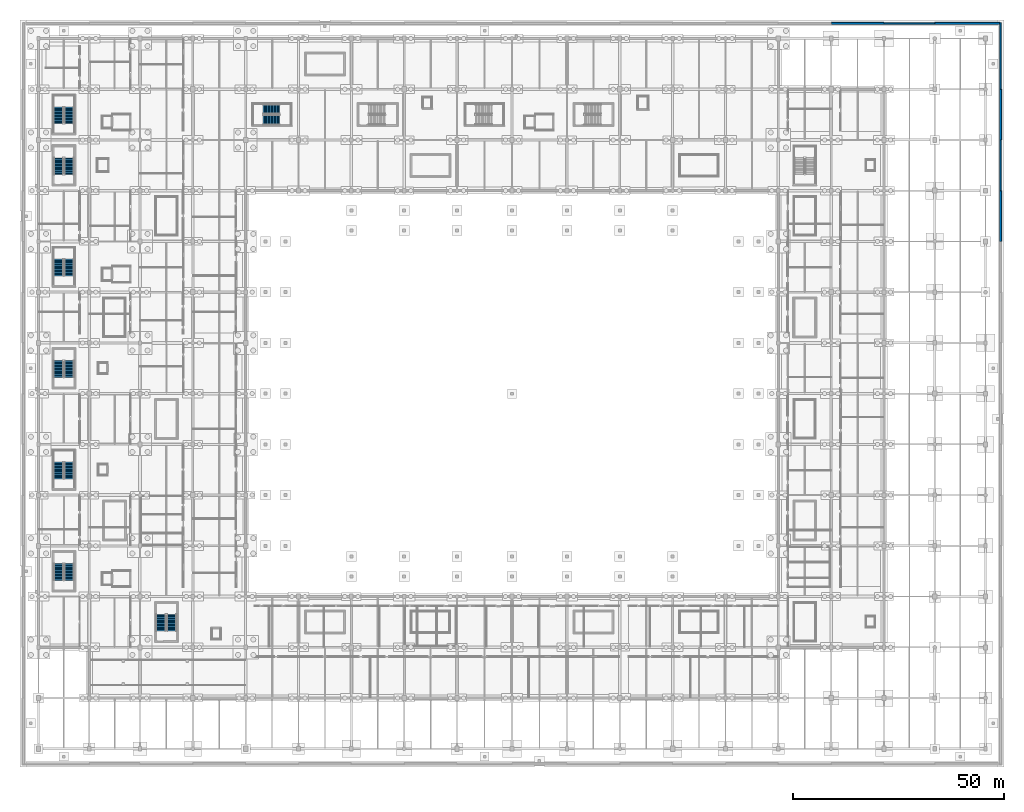
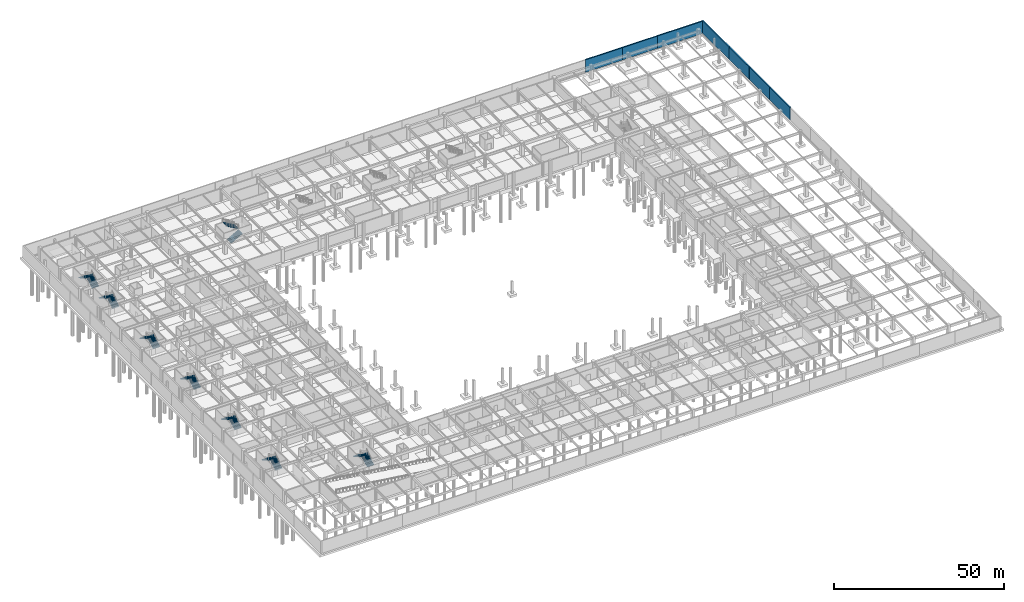
# One storey, part 40 of 56: 16 stair flights, 7 walls, 8 elements without a shape of their own.
"""IFC4 building model written with IfcOpenShell, lengths in metres."""

from ifc_helpers import new_model, si_unit, direction, frame, frame_2d, origin, place, context, subcontext, project, spatial, polyline, rectangle, outline, extrude, material, layer, layer_set, type_object, element, aggregate, save


model = new_model("IFC4")

# Units and contexts
model_context = context("Model", 3, precision=1e-05, world=origin(), true_north=direction((0.0, 1.0)))
body_context = subcontext(model_context, "Body", "Model", "MODEL_VIEW")
ifc_project = project(units=[si_unit("LENGTHUNIT", "METRE"), si_unit("AREAUNIT", "SQUARE_METRE"), si_unit("VOLUMEUNIT", "CUBIC_METRE"), si_unit("PLANEANGLEUNIT", "RADIAN"), si_unit("MASSUNIT", "GRAM", prefix="KILO")], contexts=[model_context])

# Site, building, storey
site_placement = place(None, origin())
site = spatial("IfcSite", under=ifc_project, at=site_placement, CompositionType="ELEMENT")
building_placement = place(site_placement, origin())
building = spatial("IfcBuilding", under=site, at=building_placement, Name="Kazenohara Klinker Stadium", CompositionType="ELEMENT")
storey_placement = place(building_placement, frame((0.0, 0.0, -4.800048828125)))
storey = spatial("IfcBuildingStorey", under=building, at=storey_placement, Name="B01", CompositionType="ELEMENT", Elevation=-4.800048828125)

# Walls
ifc_material = material(Name="Concrete C40/50", Category="concrete")
ifc_layer_1 = layer(ifc_material, 0.39990234375)
ifc_layer_set_1 = layer_set([ifc_layer_1], Name="Concrete C40/50")
wall_type_1 = type_object("IfcWallType", Name="WAL-B01-PLINTH400", PredefinedType="USERDEFINED", material=ifc_layer_set_1)
wall_1_placement = place(storey_placement, frame((227.580078125, 132.02001953125, 0.0), z_axis=(0.0, 0.0, 1.0), x_axis=(0.0, 1.0, 0.0)))
element("IfcWall", 1, at=wall_1_placement, inside=storey, type_object=wall_type_1, Name="Street plinth retaining wall RW04 East-12", ObjectType="RETAINING WALL", PredefinedType="USERDEFINED", context=body_context, shape_type="SweptSolid", body=[
    extrude(rectangle(XDim=11.9599609375, YDim=0.39990234375, at=frame_2d((5.97998046875, 0.0))), origin(), (0.0, 0.0, 1.0), 4.4599609375),
])
wall_2_placement = place(storey_placement, frame((227.580078125, 156.02001953125, 0.0), z_axis=(0.0, 0.0, 1.0), x_axis=(0.0, 1.0, 0.0)))
element("IfcWall", 2, at=wall_2_placement, inside=storey, type_object=wall_type_1, Name="Street plinth retaining wall RW04 East-14", ObjectType="RETAINING WALL", PredefinedType="USERDEFINED", context=body_context, shape_type="SweptSolid", body=[
    extrude(rectangle(XDim=15.760009765625, YDim=0.39990234375, at=frame_2d((7.8798828125, 0.0))), origin(), (0.0, 0.0, 1.0), 4.4599609375),
])
wall_3_placement = place(storey_placement, frame((200.02001953125, 171.580078125, 0.0), z_axis=(0.0, 0.0, 1.0), x_axis=(1.0, 0.0, 0.0)))
element("IfcWall", 3, at=wall_3_placement, inside=storey, type_object=wall_type_1, Name="Street plinth retaining wall RW04 North-17", ObjectType="RETAINING WALL", PredefinedType="USERDEFINED", context=body_context, shape_type="SweptSolid", body=[
    extrude(rectangle(XDim=11.9599609375, YDim=0.39990234375, at=frame_2d((5.97998046875, 0.0))), origin(), (0.0, 0.0, 1.0), 4.4599609375),
])
ifc_layer_2 = layer(ifc_material, 0.43994140625)
ifc_layer_set_2 = layer_set([ifc_layer_2], Name="Concrete C40/50")
wall_type_2 = type_object("IfcWallType", Name="WAL-B01-PLINTH440", PredefinedType="USERDEFINED", material=ifc_layer_set_2)
for number, where, z_axis, x_axis, name in (
    (4, (227.580078125, 120.02001953125, 0.0), (0.0, 0.0, 1.0), (0.0, 1.0, 0.0), "Street plinth retaining wall RW03 East-11"),
    (5, (227.580078125, 144.02001953125, 0.0), (0.0, 0.0, 1.0), (0.0, 1.0, 0.0), "Street plinth retaining wall RW03 East-13"),
):
    element("IfcWall", number, at=place(storey_placement, frame(where, z_axis=z_axis, x_axis=x_axis)), inside=storey, type_object=wall_type_2, Name=name, ObjectType="RETAINING WALL", PredefinedType="USERDEFINED", context=body_context, shape_type="SweptSolid", body=[
        extrude(rectangle(XDim=11.9599609375, YDim=0.43994140625, at=frame_2d((5.97998046875, 0.0))), origin(), (0.0, 0.0, 1.0), 4.4599609375),
    ])
wall_4_placement = place(storey_placement, frame((187.52001953125, 171.580078125, 0.0), z_axis=(0.0, 0.0, 1.0), x_axis=(1.0, 0.0, 0.0)))
element("IfcWall", 6, at=wall_4_placement, inside=storey, type_object=wall_type_2, Name="Street plinth retaining wall RW03 North-16", ObjectType="RETAINING WALL", PredefinedType="USERDEFINED", context=body_context, shape_type="SweptSolid", body=[
    extrude(rectangle(XDim=12.4599609375, YDim=0.43994140625, at=frame_2d((6.22998046875, 0.0))), origin(), (0.0, 0.0, 1.0), 4.4599609375),
])
wall_5_placement = place(storey_placement, frame((212.02001953125, 171.580078125, 0.0), z_axis=(0.0, 0.0, 1.0), x_axis=(1.0, 0.0, 0.0)))
element("IfcWall", 7, at=wall_5_placement, inside=storey, type_object=wall_type_2, Name="Street plinth retaining wall RW03 North-18", ObjectType="RETAINING WALL", PredefinedType="USERDEFINED", context=body_context, shape_type="SweptSolid", body=[
    extrude(rectangle(XDim=15.300048828125, YDim=0.43994140625, at=frame_2d((7.64990234375, 0.0))), origin(), (0.0, 0.0, 1.0), 4.4599609375),
])

# Stair, stair flights
stair_type_1 = type_object("IfcStairType", Name="STR-DL-2300", PredefinedType="HALF_TURN_STAIR", material=ifc_material)
stair_1_placement = place(storey_placement, origin())
stair_1 = element("IfcStair", 8, at=stair_1_placement, inside=storey, type_object=stair_type_1, Name="B01 Enclosed escape stair ST01", PredefinedType="HALF_TURN_STAIR")
stair_flight_type_1 = type_object("IfcStairFlightType", Name="FLT-DL-2300-4800", PredefinedType="STRAIGHT", material=ifc_material)
stair_flight_1_placement = place(storey_placement, frame((7.25, 39.840087890625, 0.0), z_axis=(0.0, 0.0, 1.0), x_axis=(0.0, 1.0, 0.0)))
stair_flight_1 = element("IfcStairFlight", 9, at=stair_flight_1_placement, type_object=stair_flight_type_1, Name="ST01 flight 1", NumberOfRisers=15, NumberOfTreads=14, PredefinedType="STRAIGHT", RiserHeight=0.16, TreadLength=0.28, context=body_context, shape_type="SweptSolid", body=[
    extrude(outline(polyline([(0.0, 0.0), (0.0, 0.159912109375), (0.280029296875, 0.159912109375), (0.280029296875, 0.320068359375), (0.56005859375, 0.320068359375), (0.56005859375, 0.47998046875), (0.840087890625, 0.47998046875), (0.840087890625, 0.639892578125), (1.1201171875, 0.639892578125), (1.1201171875, 0.800048828125), (1.39990234375, 0.800048828125), (1.39990234375, 0.9599609375), (1.679931640625, 0.9599609375), (1.679931640625, 1.1201171875), (1.9599609375, 1.1201171875), (1.9599609375, 1.280029296875), (2.239990234375, 1.280029296875), (2.239990234375, 1.43994140625), (2.52001953125, 1.43994140625), (2.52001953125, 1.60009765625), (2.800048828125, 1.60009765625), (2.800048828125, 1.760009765625), (3.080078125, 1.760009765625), (3.080078125, 1.919921875), (3.360107421875, 1.919921875), (3.360107421875, 2.080078125), (3.639892578125, 2.080078125), (3.639892578125, 2.239990234375), (3.919921875, 2.239990234375), (3.919921875, 2.39990234375), (3.919921875, 2.0673828125), (0.30224609375, 0.0), (0.0, 0.0)])), frame((0.0, 1.14990234375, 0.0), z_axis=(0.0, -1.0, 0.0), x_axis=(1.0, 0.0, 0.0)), (0.0, 0.0, 1.0), 2.300048828125),
])
stair_flight_2_placement = place(storey_placement, frame((4.75, 43.760009765625, 2.400146484375), z_axis=(0.0, 0.0, 1.0), x_axis=(0.0, -1.0, 0.0)))
stair_flight_2 = element("IfcStairFlight", 10, at=stair_flight_2_placement, type_object=stair_flight_type_1, Name="ST01 flight 2", NumberOfRisers=15, NumberOfTreads=14, PredefinedType="STRAIGHT", RiserHeight=0.16, TreadLength=0.28, context=body_context, shape_type="SweptSolid", body=[
    extrude(outline(polyline([(0.0, 0.0), (0.0, 0.159912109375), (0.280029296875, 0.159912109375), (0.280029296875, 0.320068359375), (0.56005859375, 0.320068359375), (0.56005859375, 0.47998046875), (0.840087890625, 0.47998046875), (0.840087890625, 0.639892578125), (1.1201171875, 0.639892578125), (1.1201171875, 0.800048828125), (1.39990234375, 0.800048828125), (1.39990234375, 0.9599609375), (1.679931640625, 0.9599609375), (1.679931640625, 1.1201171875), (1.9599609375, 1.1201171875), (1.9599609375, 1.280029296875), (2.239990234375, 1.280029296875), (2.239990234375, 1.43994140625), (2.52001953125, 1.43994140625), (2.52001953125, 1.60009765625), (2.800048828125, 1.60009765625), (2.800048828125, 1.760009765625), (3.080078125, 1.760009765625), (3.080078125, 1.919921875), (3.360107421875, 1.919921875), (3.360107421875, 2.080078125), (3.639892578125, 2.080078125), (3.639892578125, 2.239990234375), (3.919921875, 2.239990234375), (3.919921875, 2.39990234375), (3.919921875, 2.0673828125), (0.30224609375, 0.0), (0.0, 0.0)])), frame((0.0, 1.14990234375, 0.0), z_axis=(0.0, -1.0, 0.0), x_axis=(1.0, 0.0, 0.0)), (0.0, 0.0, 1.0), 2.300048828125),
])
aggregate(stair_1, [stair_flight_1, stair_flight_2])

stair_2_placement = place(storey_placement, origin())
stair_2 = element("IfcStair", 11, at=stair_2_placement, inside=storey, type_object=stair_type_1, Name="B01 Enclosed escape stair ST05", PredefinedType="HALF_TURN_STAIR")
stair_flight_3_placement = place(storey_placement, frame((7.25, 135.840087890625, 0.0), z_axis=(0.0, 0.0, 1.0), x_axis=(0.0, 1.0, 0.0)))
stair_flight_3 = element("IfcStairFlight", 12, at=stair_flight_3_placement, type_object=stair_flight_type_1, Name="ST05 flight 1", NumberOfRisers=15, NumberOfTreads=14, PredefinedType="STRAIGHT", RiserHeight=0.16, TreadLength=0.28, context=body_context, shape_type="SweptSolid", body=[
    extrude(outline(polyline([(0.0, 0.0), (0.0, 0.159912109375), (0.280029296875, 0.159912109375), (0.280029296875, 0.320068359375), (0.56005859375, 0.320068359375), (0.56005859375, 0.47998046875), (0.840087890625, 0.47998046875), (0.840087890625, 0.639892578125), (1.1201171875, 0.639892578125), (1.1201171875, 0.800048828125), (1.39990234375, 0.800048828125), (1.39990234375, 0.9599609375), (1.679931640625, 0.9599609375), (1.679931640625, 1.1201171875), (1.9599609375, 1.1201171875), (1.9599609375, 1.280029296875), (2.239990234375, 1.280029296875), (2.239990234375, 1.43994140625), (2.52001953125, 1.43994140625), (2.52001953125, 1.60009765625), (2.800048828125, 1.60009765625), (2.800048828125, 1.760009765625), (3.080078125, 1.760009765625), (3.080078125, 1.919921875), (3.360107421875, 1.919921875), (3.360107421875, 2.080078125), (3.639892578125, 2.080078125), (3.639892578125, 2.239990234375), (3.919921875, 2.239990234375), (3.919921875, 2.39990234375), (3.919921875, 2.0673828125), (0.30224609375, 0.0), (0.0, 0.0)])), frame((0.0, 1.14990234375, 0.0), z_axis=(0.0, -1.0, 0.0), x_axis=(1.0, 0.0, 0.0)), (0.0, 0.0, 1.0), 2.300048828125),
])
stair_flight_4_placement = place(storey_placement, frame((4.75, 139.760009765625, 2.400146484375), z_axis=(0.0, 0.0, 1.0), x_axis=(0.0, -1.0, 0.0)))
stair_flight_4 = element("IfcStairFlight", 13, at=stair_flight_4_placement, type_object=stair_flight_type_1, Name="ST05 flight 2", NumberOfRisers=15, NumberOfTreads=14, PredefinedType="STRAIGHT", RiserHeight=0.16, TreadLength=0.28, context=body_context, shape_type="SweptSolid", body=[
    extrude(outline(polyline([(0.0, 0.0), (0.0, 0.159912109375), (0.280029296875, 0.159912109375), (0.280029296875, 0.320068359375), (0.56005859375, 0.320068359375), (0.56005859375, 0.47998046875), (0.840087890625, 0.47998046875), (0.840087890625, 0.639892578125), (1.1201171875, 0.639892578125), (1.1201171875, 0.800048828125), (1.39990234375, 0.800048828125), (1.39990234375, 0.9599609375), (1.679931640625, 0.9599609375), (1.679931640625, 1.1201171875), (1.9599609375, 1.1201171875), (1.9599609375, 1.280029296875), (2.239990234375, 1.280029296875), (2.239990234375, 1.43994140625), (2.52001953125, 1.43994140625), (2.52001953125, 1.60009765625), (2.800048828125, 1.60009765625), (2.800048828125, 1.760009765625), (3.080078125, 1.760009765625), (3.080078125, 1.919921875), (3.360107421875, 1.919921875), (3.360107421875, 2.080078125), (3.639892578125, 2.080078125), (3.639892578125, 2.239990234375), (3.919921875, 2.239990234375), (3.919921875, 2.39990234375), (3.919921875, 2.0673828125), (0.30224609375, 0.0), (0.0, 0.0)])), frame((0.0, 1.14990234375, 0.0), z_axis=(0.0, -1.0, 0.0), x_axis=(1.0, 0.0, 0.0)), (0.0, 0.0, 1.0), 2.300048828125),
])
aggregate(stair_2, [stair_flight_3, stair_flight_4])

stair_type_2 = type_object("IfcStairType", Name="STR-DL-2310", PredefinedType="HALF_TURN_STAIR", material=ifc_material)
stair_3_placement = place(storey_placement, origin())
stair_3 = element("IfcStair", 14, at=stair_3_placement, inside=storey, type_object=stair_type_2, Name="B01 Enclosed escape stair ST02", PredefinedType="HALF_TURN_STAIR")
stair_flight_type_2 = type_object("IfcStairFlightType", Name="FLT-DL-2310-4800", PredefinedType="STRAIGHT", material=ifc_material)
stair_flight_5_placement = place(storey_placement, frame((7.2548828125, 63.85009765625, 0.0), z_axis=(0.0, 0.0, 1.0), x_axis=(0.0, 1.0, 0.0)))
stair_flight_5 = element("IfcStairFlight", 15, at=stair_flight_5_placement, type_object=stair_flight_type_2, Name="ST02 flight 1", NumberOfRisers=15, NumberOfTreads=14, PredefinedType="STRAIGHT", RiserHeight=0.16, TreadLength=0.28, context=body_context, shape_type="SweptSolid", body=[
    extrude(outline(polyline([(0.0, 0.0), (0.0, 0.159912109375), (0.280029296875, 0.159912109375), (0.280029296875, 0.320068359375), (0.56005859375, 0.320068359375), (0.56005859375, 0.47998046875), (0.840087890625, 0.47998046875), (0.840087890625, 0.639892578125), (1.1201171875, 0.639892578125), (1.1201171875, 0.800048828125), (1.39990234375, 0.800048828125), (1.39990234375, 0.9599609375), (1.679931640625, 0.9599609375), (1.679931640625, 1.1201171875), (1.9599609375, 1.1201171875), (1.9599609375, 1.280029296875), (2.239990234375, 1.280029296875), (2.239990234375, 1.43994140625), (2.52001953125, 1.43994140625), (2.52001953125, 1.60009765625), (2.800048828125, 1.60009765625), (2.800048828125, 1.760009765625), (3.080078125, 1.760009765625), (3.080078125, 1.919921875), (3.360107421875, 1.919921875), (3.360107421875, 2.080078125), (3.639892578125, 2.080078125), (3.639892578125, 2.239990234375), (3.919921875, 2.239990234375), (3.919921875, 2.39990234375), (3.919921875, 2.0673828125), (0.30224609375, 0.0), (0.0, 0.0)])), frame((0.0, 1.155029296875, 0.0), z_axis=(0.0, -1.0, 0.0), x_axis=(1.0, 0.0, 0.0)), (0.0, 0.0, 1.0), 2.31005859375),
])
stair_flight_6_placement = place(storey_placement, frame((4.7451171875, 67.77001953125, 2.400146484375), z_axis=(0.0, 0.0, 1.0), x_axis=(0.0, -1.0, 0.0)))
stair_flight_6 = element("IfcStairFlight", 16, at=stair_flight_6_placement, type_object=stair_flight_type_2, Name="ST02 flight 2", NumberOfRisers=15, NumberOfTreads=14, PredefinedType="STRAIGHT", RiserHeight=0.16, TreadLength=0.28, context=body_context, shape_type="SweptSolid", body=[
    extrude(outline(polyline([(0.0, 0.0), (0.0, 0.159912109375), (0.280029296875, 0.159912109375), (0.280029296875, 0.320068359375), (0.56005859375, 0.320068359375), (0.56005859375, 0.47998046875), (0.840087890625, 0.47998046875), (0.840087890625, 0.639892578125), (1.1201171875, 0.639892578125), (1.1201171875, 0.800048828125), (1.39990234375, 0.800048828125), (1.39990234375, 0.9599609375), (1.679931640625, 0.9599609375), (1.679931640625, 1.1201171875), (1.9599609375, 1.1201171875), (1.9599609375, 1.280029296875), (2.239990234375, 1.280029296875), (2.239990234375, 1.43994140625), (2.52001953125, 1.43994140625), (2.52001953125, 1.60009765625), (2.800048828125, 1.60009765625), (2.800048828125, 1.760009765625), (3.080078125, 1.760009765625), (3.080078125, 1.919921875), (3.360107421875, 1.919921875), (3.360107421875, 2.080078125), (3.639892578125, 2.080078125), (3.639892578125, 2.239990234375), (3.919921875, 2.239990234375), (3.919921875, 2.39990234375), (3.919921875, 2.0673828125), (0.30224609375, 0.0), (0.0, 0.0)])), frame((0.0, 1.155029296875, 0.0), z_axis=(0.0, -1.0, 0.0), x_axis=(1.0, 0.0, 0.0)), (0.0, 0.0, 1.0), 2.31005859375),
])
aggregate(stair_3, [stair_flight_5, stair_flight_6])

stair_4_placement = place(storey_placement, origin())
stair_4 = element("IfcStair", 17, at=stair_4_placement, inside=storey, type_object=stair_type_2, Name="B01 Enclosed escape stair ST06", PredefinedType="HALF_TURN_STAIR")
stair_flight_7_placement = place(storey_placement, frame((7.2548828125, 147.85009765625, 0.0), z_axis=(0.0, 0.0, 1.0), x_axis=(0.0, 1.0, 0.0)))
stair_flight_7 = element("IfcStairFlight", 18, at=stair_flight_7_placement, type_object=stair_flight_type_2, Name="ST06 flight 1", NumberOfRisers=15, NumberOfTreads=14, PredefinedType="STRAIGHT", RiserHeight=0.16, TreadLength=0.28, context=body_context, shape_type="SweptSolid", body=[
    extrude(outline(polyline([(0.0, 0.0), (0.0, 0.159912109375), (0.280029296875, 0.159912109375), (0.280029296875, 0.320068359375), (0.56005859375, 0.320068359375), (0.56005859375, 0.47998046875), (0.840087890625, 0.47998046875), (0.840087890625, 0.639892578125), (1.1201171875, 0.639892578125), (1.1201171875, 0.800048828125), (1.39990234375, 0.800048828125), (1.39990234375, 0.9599609375), (1.679931640625, 0.9599609375), (1.679931640625, 1.1201171875), (1.9599609375, 1.1201171875), (1.9599609375, 1.280029296875), (2.239990234375, 1.280029296875), (2.239990234375, 1.43994140625), (2.52001953125, 1.43994140625), (2.52001953125, 1.60009765625), (2.800048828125, 1.60009765625), (2.800048828125, 1.760009765625), (3.080078125, 1.760009765625), (3.080078125, 1.919921875), (3.360107421875, 1.919921875), (3.360107421875, 2.080078125), (3.639892578125, 2.080078125), (3.639892578125, 2.239990234375), (3.919921875, 2.239990234375), (3.919921875, 2.39990234375), (3.919921875, 2.0673828125), (0.30224609375, 0.0), (0.0, 0.0)])), frame((0.0, 1.155029296875, 0.0), z_axis=(0.0, -1.0, 0.0), x_axis=(1.0, 0.0, 0.0)), (0.0, 0.0, 1.0), 2.31005859375),
])
stair_flight_8_placement = place(storey_placement, frame((4.7451171875, 151.77001953125, 2.400146484375), z_axis=(0.0, 0.0, 1.0), x_axis=(0.0, -1.0, 0.0)))
stair_flight_8 = element("IfcStairFlight", 19, at=stair_flight_8_placement, type_object=stair_flight_type_2, Name="ST06 flight 2", NumberOfRisers=15, NumberOfTreads=14, PredefinedType="STRAIGHT", RiserHeight=0.16, TreadLength=0.28, context=body_context, shape_type="SweptSolid", body=[
    extrude(outline(polyline([(0.0, 0.0), (0.0, 0.159912109375), (0.280029296875, 0.159912109375), (0.280029296875, 0.320068359375), (0.56005859375, 0.320068359375), (0.56005859375, 0.47998046875), (0.840087890625, 0.47998046875), (0.840087890625, 0.639892578125), (1.1201171875, 0.639892578125), (1.1201171875, 0.800048828125), (1.39990234375, 0.800048828125), (1.39990234375, 0.9599609375), (1.679931640625, 0.9599609375), (1.679931640625, 1.1201171875), (1.9599609375, 1.1201171875), (1.9599609375, 1.280029296875), (2.239990234375, 1.280029296875), (2.239990234375, 1.43994140625), (2.52001953125, 1.43994140625), (2.52001953125, 1.60009765625), (2.800048828125, 1.60009765625), (2.800048828125, 1.760009765625), (3.080078125, 1.760009765625), (3.080078125, 1.919921875), (3.360107421875, 1.919921875), (3.360107421875, 2.080078125), (3.639892578125, 2.080078125), (3.639892578125, 2.239990234375), (3.919921875, 2.239990234375), (3.919921875, 2.39990234375), (3.919921875, 2.0673828125), (0.30224609375, 0.0), (0.0, 0.0)])), frame((0.0, 1.155029296875, 0.0), z_axis=(0.0, -1.0, 0.0), x_axis=(1.0, 0.0, 0.0)), (0.0, 0.0, 1.0), 2.31005859375),
])
aggregate(stair_4, [stair_flight_7, stair_flight_8])

stair_type_3 = type_object("IfcStairType", Name="STR-DL-2330", PredefinedType="HALF_TURN_STAIR", material=ifc_material)
stair_5_placement = place(storey_placement, origin())
stair_5 = element("IfcStair", 20, at=stair_5_placement, inside=storey, type_object=stair_type_3, Name="B01 Enclosed escape stair ST03", PredefinedType="HALF_TURN_STAIR")
stair_flight_type_3 = type_object("IfcStairFlightType", Name="FLT-DL-2330-4800", PredefinedType="STRAIGHT", material=ifc_material)
stair_flight_9_placement = place(storey_placement, frame((7.264892578125, 87.8701171875, 0.0), z_axis=(0.0, 0.0, 1.0), x_axis=(0.0, 1.0, 0.0)))
stair_flight_9 = element("IfcStairFlight", 21, at=stair_flight_9_placement, type_object=stair_flight_type_3, Name="ST03 flight 1", NumberOfRisers=15, NumberOfTreads=14, PredefinedType="STRAIGHT", RiserHeight=0.16, TreadLength=0.28, context=body_context, shape_type="SweptSolid", body=[
    extrude(outline(polyline([(0.0, 0.0), (0.0, 0.159912109375), (0.280029296875, 0.159912109375), (0.280029296875, 0.320068359375), (0.56005859375, 0.320068359375), (0.56005859375, 0.47998046875), (0.840087890625, 0.47998046875), (0.840087890625, 0.639892578125), (1.1201171875, 0.639892578125), (1.1201171875, 0.800048828125), (1.39990234375, 0.800048828125), (1.39990234375, 0.9599609375), (1.679931640625, 0.9599609375), (1.679931640625, 1.1201171875), (1.9599609375, 1.1201171875), (1.9599609375, 1.280029296875), (2.239990234375, 1.280029296875), (2.239990234375, 1.43994140625), (2.52001953125, 1.43994140625), (2.52001953125, 1.60009765625), (2.800048828125, 1.60009765625), (2.800048828125, 1.760009765625), (3.080078125, 1.760009765625), (3.080078125, 1.919921875), (3.360107421875, 1.919921875), (3.360107421875, 2.080078125), (3.639892578125, 2.080078125), (3.639892578125, 2.239990234375), (3.919921875, 2.239990234375), (3.919921875, 2.39990234375), (3.919921875, 2.0673828125), (0.30224609375, 0.0), (0.0, 0.0)])), frame((0.0, 1.1650390625, 0.0), z_axis=(0.0, -1.0, 0.0), x_axis=(1.0, 0.0, 0.0)), (0.0, 0.0, 1.0), 2.330078125),
])
stair_flight_10_placement = place(storey_placement, frame((4.735107421875, 91.7900390625, 2.400146484375), z_axis=(0.0, 0.0, 1.0), x_axis=(0.0, -1.0, 0.0)))
stair_flight_10 = element("IfcStairFlight", 22, at=stair_flight_10_placement, type_object=stair_flight_type_3, Name="ST03 flight 2", NumberOfRisers=15, NumberOfTreads=14, PredefinedType="STRAIGHT", RiserHeight=0.16, TreadLength=0.28, context=body_context, shape_type="SweptSolid", body=[
    extrude(outline(polyline([(0.0, 0.0), (0.0, 0.159912109375), (0.280029296875, 0.159912109375), (0.280029296875, 0.320068359375), (0.56005859375, 0.320068359375), (0.56005859375, 0.47998046875), (0.840087890625, 0.47998046875), (0.840087890625, 0.639892578125), (1.1201171875, 0.639892578125), (1.1201171875, 0.800048828125), (1.39990234375, 0.800048828125), (1.39990234375, 0.9599609375), (1.679931640625, 0.9599609375), (1.679931640625, 1.1201171875), (1.9599609375, 1.1201171875), (1.9599609375, 1.280029296875), (2.239990234375, 1.280029296875), (2.239990234375, 1.43994140625), (2.52001953125, 1.43994140625), (2.52001953125, 1.60009765625), (2.800048828125, 1.60009765625), (2.800048828125, 1.760009765625), (3.080078125, 1.760009765625), (3.080078125, 1.919921875), (3.360107421875, 1.919921875), (3.360107421875, 2.080078125), (3.639892578125, 2.080078125), (3.639892578125, 2.239990234375), (3.919921875, 2.239990234375), (3.919921875, 2.39990234375), (3.919921875, 2.0673828125), (0.30224609375, 0.0), (0.0, 0.0)])), frame((0.0, 1.1650390625, 0.0), z_axis=(0.0, -1.0, 0.0), x_axis=(1.0, 0.0, 0.0)), (0.0, 0.0, 1.0), 2.330078125),
])
aggregate(stair_5, [stair_flight_9, stair_flight_10])

stair_6_placement = place(storey_placement, origin())
stair_6 = element("IfcStair", 23, at=stair_6_placement, inside=storey, type_object=stair_type_3, Name="B01 Enclosed escape stair ST07", PredefinedType="HALF_TURN_STAIR")
stair_flight_11_placement = place(storey_placement, frame((31.514892578125, 27.8701171875, 0.0), z_axis=(0.0, 0.0, 1.0), x_axis=(0.0, 1.0, 0.0)))
stair_flight_11 = element("IfcStairFlight", 24, at=stair_flight_11_placement, type_object=stair_flight_type_3, Name="ST07 flight 1", NumberOfRisers=15, NumberOfTreads=14, PredefinedType="STRAIGHT", RiserHeight=0.16, TreadLength=0.28, context=body_context, shape_type="SweptSolid", body=[
    extrude(outline(polyline([(0.0, 0.0), (0.0, 0.159912109375), (0.280029296875, 0.159912109375), (0.280029296875, 0.320068359375), (0.56005859375, 0.320068359375), (0.56005859375, 0.47998046875), (0.840087890625, 0.47998046875), (0.840087890625, 0.639892578125), (1.1201171875, 0.639892578125), (1.1201171875, 0.800048828125), (1.39990234375, 0.800048828125), (1.39990234375, 0.9599609375), (1.679931640625, 0.9599609375), (1.679931640625, 1.1201171875), (1.9599609375, 1.1201171875), (1.9599609375, 1.280029296875), (2.239990234375, 1.280029296875), (2.239990234375, 1.43994140625), (2.52001953125, 1.43994140625), (2.52001953125, 1.60009765625), (2.800048828125, 1.60009765625), (2.800048828125, 1.760009765625), (3.080078125, 1.760009765625), (3.080078125, 1.919921875), (3.360107421875, 1.919921875), (3.360107421875, 2.080078125), (3.639892578125, 2.080078125), (3.639892578125, 2.239990234375), (3.919921875, 2.239990234375), (3.919921875, 2.39990234375), (3.919921875, 2.0673828125), (0.30224609375, 0.0), (0.0, 0.0)])), frame((0.0, 1.1650390625, 0.0), z_axis=(0.0, -1.0, 0.0), x_axis=(1.0, 0.0, 0.0)), (0.0, 0.0, 1.0), 2.330078125),
])
stair_flight_12_placement = place(storey_placement, frame((28.985107421875, 31.7900390625, 2.400146484375), z_axis=(0.0, 0.0, 1.0), x_axis=(0.0, -1.0, 0.0)))
stair_flight_12 = element("IfcStairFlight", 25, at=stair_flight_12_placement, type_object=stair_flight_type_3, Name="ST07 flight 2", NumberOfRisers=15, NumberOfTreads=14, PredefinedType="STRAIGHT", RiserHeight=0.16, TreadLength=0.28, context=body_context, shape_type="SweptSolid", body=[
    extrude(outline(polyline([(0.0, 0.0), (0.0, 0.159912109375), (0.280029296875, 0.159912109375), (0.280029296875, 0.320068359375), (0.56005859375, 0.320068359375), (0.56005859375, 0.47998046875), (0.840087890625, 0.47998046875), (0.840087890625, 0.639892578125), (1.1201171875, 0.639892578125), (1.1201171875, 0.800048828125), (1.39990234375, 0.800048828125), (1.39990234375, 0.9599609375), (1.679931640625, 0.9599609375), (1.679931640625, 1.1201171875), (1.9599609375, 1.1201171875), (1.9599609375, 1.280029296875), (2.239990234375, 1.280029296875), (2.239990234375, 1.43994140625), (2.52001953125, 1.43994140625), (2.52001953125, 1.60009765625), (2.800048828125, 1.60009765625), (2.800048828125, 1.760009765625), (3.080078125, 1.760009765625), (3.080078125, 1.919921875), (3.360107421875, 1.919921875), (3.360107421875, 2.080078125), (3.639892578125, 2.080078125), (3.639892578125, 2.239990234375), (3.919921875, 2.239990234375), (3.919921875, 2.39990234375), (3.919921875, 2.0673828125), (0.30224609375, 0.0), (0.0, 0.0)])), frame((0.0, 1.1650390625, 0.0), z_axis=(0.0, -1.0, 0.0), x_axis=(1.0, 0.0, 0.0)), (0.0, 0.0, 1.0), 2.330078125),
])
aggregate(stair_6, [stair_flight_11, stair_flight_12])

stair_type_4 = type_object("IfcStairType", Name="STR-DL-2340", PredefinedType="HALF_TURN_STAIR", material=ifc_material)
stair_7_placement = place(storey_placement, origin())
stair_7 = element("IfcStair", 26, at=stair_7_placement, inside=storey, type_object=stair_type_4, Name="B01 Enclosed escape stair ST04", PredefinedType="HALF_TURN_STAIR")
stair_flight_type_4 = type_object("IfcStairFlightType", Name="FLT-DL-2340-4800", PredefinedType="STRAIGHT", material=ifc_material)
stair_flight_13_placement = place(storey_placement, frame((7.27001953125, 111.8798828125, 0.0), z_axis=(0.0, 0.0, 1.0), x_axis=(0.0, 1.0, 0.0)))
stair_flight_13 = element("IfcStairFlight", 27, at=stair_flight_13_placement, type_object=stair_flight_type_4, Name="ST04 flight 1", NumberOfRisers=15, NumberOfTreads=14, PredefinedType="STRAIGHT", RiserHeight=0.16, TreadLength=0.28, context=body_context, shape_type="SweptSolid", body=[
    extrude(outline(polyline([(0.0, 0.0), (0.0, 0.159912109375), (0.280029296875, 0.159912109375), (0.280029296875, 0.320068359375), (0.56005859375, 0.320068359375), (0.56005859375, 0.47998046875), (0.840087890625, 0.47998046875), (0.840087890625, 0.639892578125), (1.1201171875, 0.639892578125), (1.1201171875, 0.800048828125), (1.39990234375, 0.800048828125), (1.39990234375, 0.9599609375), (1.679931640625, 0.9599609375), (1.679931640625, 1.1201171875), (1.9599609375, 1.1201171875), (1.9599609375, 1.280029296875), (2.239990234375, 1.280029296875), (2.239990234375, 1.43994140625), (2.52001953125, 1.43994140625), (2.52001953125, 1.60009765625), (2.800048828125, 1.60009765625), (2.800048828125, 1.760009765625), (3.080078125, 1.760009765625), (3.080078125, 1.919921875), (3.360107421875, 1.919921875), (3.360107421875, 2.080078125), (3.639892578125, 2.080078125), (3.639892578125, 2.239990234375), (3.919921875, 2.239990234375), (3.919921875, 2.39990234375), (3.919921875, 2.0673828125), (0.30224609375, 0.0), (0.0, 0.0)])), frame((0.0, 1.169921875, 0.0), z_axis=(0.0, -1.0, 0.0), x_axis=(1.0, 0.0, 0.0)), (0.0, 0.0, 1.0), 2.340087890625),
])
stair_flight_14_placement = place(storey_placement, frame((4.72998046875, 115.800048828125, 2.400146484375), z_axis=(0.0, 0.0, 1.0), x_axis=(0.0, -1.0, 0.0)))
stair_flight_14 = element("IfcStairFlight", 28, at=stair_flight_14_placement, type_object=stair_flight_type_4, Name="ST04 flight 2", NumberOfRisers=15, NumberOfTreads=14, PredefinedType="STRAIGHT", RiserHeight=0.16, TreadLength=0.28, context=body_context, shape_type="SweptSolid", body=[
    extrude(outline(polyline([(0.0, 0.0), (0.0, 0.159912109375), (0.280029296875, 0.159912109375), (0.280029296875, 0.320068359375), (0.56005859375, 0.320068359375), (0.56005859375, 0.47998046875), (0.840087890625, 0.47998046875), (0.840087890625, 0.639892578125), (1.1201171875, 0.639892578125), (1.1201171875, 0.800048828125), (1.39990234375, 0.800048828125), (1.39990234375, 0.9599609375), (1.679931640625, 0.9599609375), (1.679931640625, 1.1201171875), (1.9599609375, 1.1201171875), (1.9599609375, 1.280029296875), (2.239990234375, 1.280029296875), (2.239990234375, 1.43994140625), (2.52001953125, 1.43994140625), (2.52001953125, 1.60009765625), (2.800048828125, 1.60009765625), (2.800048828125, 1.760009765625), (3.080078125, 1.760009765625), (3.080078125, 1.919921875), (3.360107421875, 1.919921875), (3.360107421875, 2.080078125), (3.639892578125, 2.080078125), (3.639892578125, 2.239990234375), (3.919921875, 2.239990234375), (3.919921875, 2.39990234375), (3.919921875, 2.0673828125), (0.30224609375, 0.0), (0.0, 0.0)])), frame((0.0, 1.169921875, 0.0), z_axis=(0.0, -1.0, 0.0), x_axis=(1.0, 0.0, 0.0)), (0.0, 0.0, 1.0), 2.340087890625),
])
aggregate(stair_7, [stair_flight_13, stair_flight_14])

stair_8_placement = place(storey_placement, origin())
stair_8 = element("IfcStair", 29, at=stair_8_placement, inside=storey, type_object=stair_type_4, Name="B01 Enclosed escape stair ST08", PredefinedType="HALF_TURN_STAIR")
stair_flight_15_placement = place(storey_placement, frame((53.1298828125, 148.72998046875, 0.0), z_axis=(0.0, 0.0, 1.0), x_axis=(1.0, 0.0, 0.0)))
stair_flight_15 = element("IfcStairFlight", 30, at=stair_flight_15_placement, type_object=stair_flight_type_4, Name="ST08 flight 1", NumberOfRisers=15, NumberOfTreads=14, PredefinedType="STRAIGHT", RiserHeight=0.16, TreadLength=0.28, context=body_context, shape_type="SweptSolid", body=[
    extrude(outline(polyline([(0.0, 0.0), (0.0, 0.159912109375), (0.280029296875, 0.159912109375), (0.280029296875, 0.320068359375), (0.56005859375, 0.320068359375), (0.56005859375, 0.47998046875), (0.840087890625, 0.47998046875), (0.840087890625, 0.639892578125), (1.1201171875, 0.639892578125), (1.1201171875, 0.800048828125), (1.39990234375, 0.800048828125), (1.39990234375, 0.9599609375), (1.679931640625, 0.9599609375), (1.679931640625, 1.1201171875), (1.9599609375, 1.1201171875), (1.9599609375, 1.280029296875), (2.239990234375, 1.280029296875), (2.239990234375, 1.43994140625), (2.52001953125, 1.43994140625), (2.52001953125, 1.60009765625), (2.800048828125, 1.60009765625), (2.800048828125, 1.760009765625), (3.080078125, 1.760009765625), (3.080078125, 1.919921875), (3.360107421875, 1.919921875), (3.360107421875, 2.080078125), (3.639892578125, 2.080078125), (3.639892578125, 2.239990234375), (3.919921875, 2.239990234375), (3.919921875, 2.39990234375), (3.919921875, 2.0673828125), (0.30224609375, 0.0), (0.0, 0.0)])), frame((0.0, 1.169921875, 0.0), z_axis=(0.0, -1.0, 0.0), x_axis=(1.0, 0.0, 0.0)), (0.0, 0.0, 1.0), 2.340087890625),
])
stair_flight_16_placement = place(storey_placement, frame((57.050048828125, 151.27001953125, 2.400146484375), z_axis=(0.0, 0.0, 1.0), x_axis=(-1.0, 0.0, 0.0)))
stair_flight_16 = element("IfcStairFlight", 31, at=stair_flight_16_placement, type_object=stair_flight_type_4, Name="ST08 flight 2", NumberOfRisers=15, NumberOfTreads=14, PredefinedType="STRAIGHT", RiserHeight=0.16, TreadLength=0.28, context=body_context, shape_type="SweptSolid", body=[
    extrude(outline(polyline([(0.0, 0.0), (0.0, 0.159912109375), (0.280029296875, 0.159912109375), (0.280029296875, 0.320068359375), (0.56005859375, 0.320068359375), (0.56005859375, 0.47998046875), (0.840087890625, 0.47998046875), (0.840087890625, 0.639892578125), (1.1201171875, 0.639892578125), (1.1201171875, 0.800048828125), (1.39990234375, 0.800048828125), (1.39990234375, 0.9599609375), (1.679931640625, 0.9599609375), (1.679931640625, 1.1201171875), (1.9599609375, 1.1201171875), (1.9599609375, 1.280029296875), (2.239990234375, 1.280029296875), (2.239990234375, 1.43994140625), (2.52001953125, 1.43994140625), (2.52001953125, 1.60009765625), (2.800048828125, 1.60009765625), (2.800048828125, 1.760009765625), (3.080078125, 1.760009765625), (3.080078125, 1.919921875), (3.360107421875, 1.919921875), (3.360107421875, 2.080078125), (3.639892578125, 2.080078125), (3.639892578125, 2.239990234375), (3.919921875, 2.239990234375), (3.919921875, 2.39990234375), (3.919921875, 2.0673828125), (0.30224609375, 0.0), (0.0, 0.0)])), frame((0.0, 1.169921875, 0.0), z_axis=(0.0, -1.0, 0.0), x_axis=(1.0, 0.0, 0.0)), (0.0, 0.0, 1.0), 2.340087890625),
])
aggregate(stair_8, [stair_flight_15, stair_flight_16])

save(model, "model.ifc")
